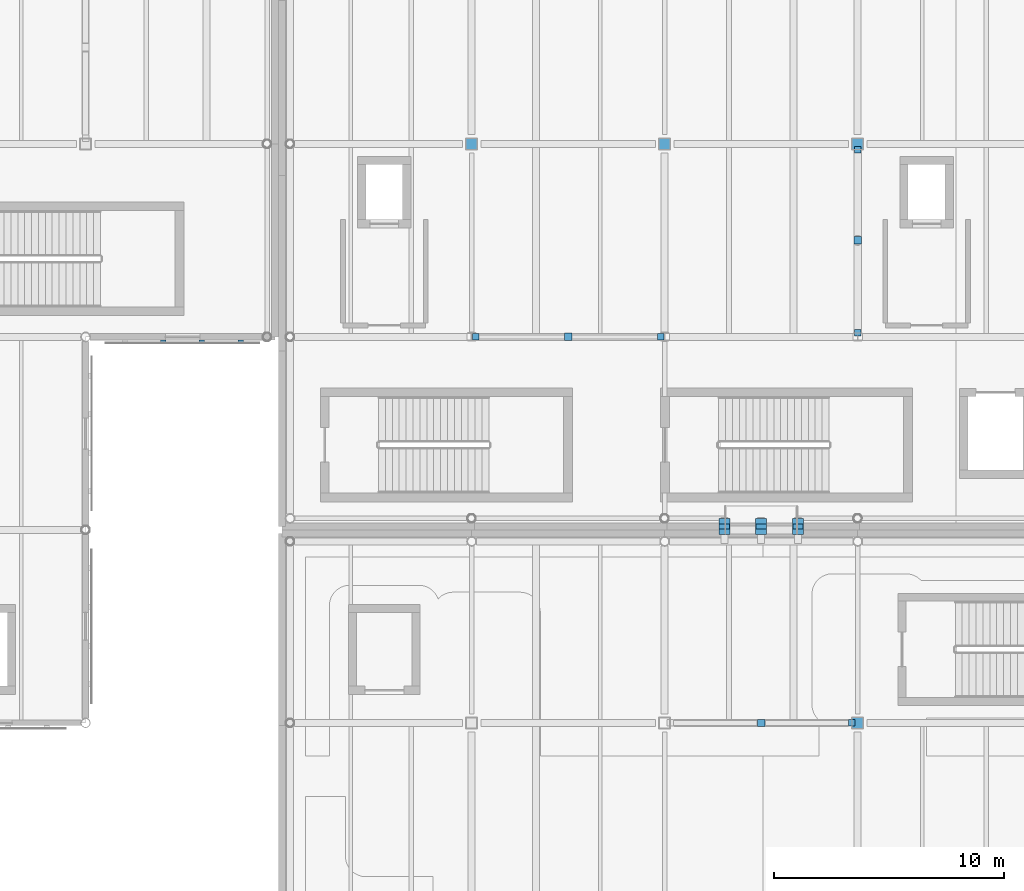
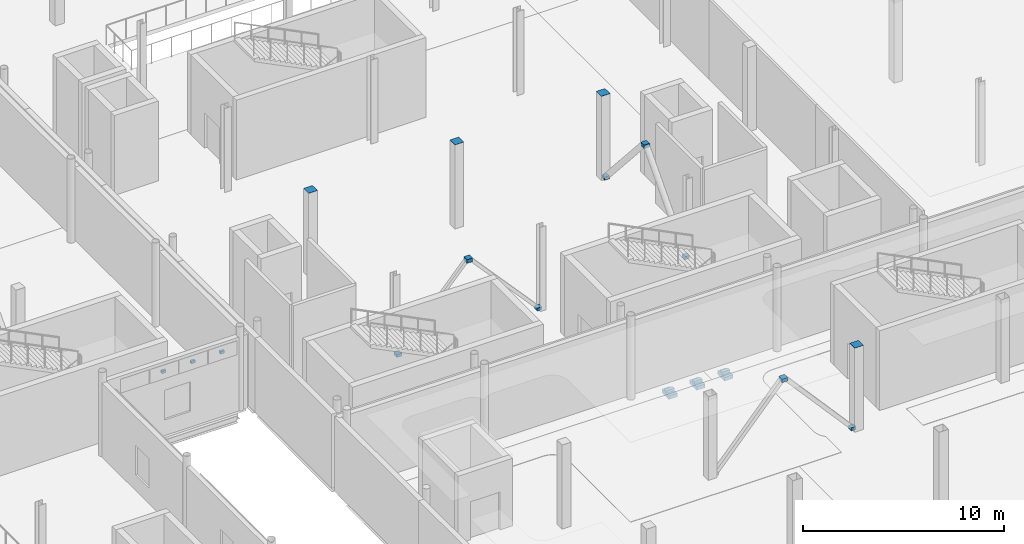
# One storey, part 80 of 104: 21 discrete accessories.
"""IFC4 building model written with IfcOpenShell, lengths in metres."""

from ifc_helpers import new_model, si_unit, direction, frame, origin, origin_2d, place, context, subcontext, project, spatial, rectangle, extrude, material, type_object, element, save


model = new_model("IFC4")

# Units and contexts
model_context = context("Model", 3, precision=1e-05, world=origin(), true_north=direction((0.0, 1.0)))
body_context = subcontext(model_context, "Body", "Model", "MODEL_VIEW")
ifc_project = project(units=[si_unit("LENGTHUNIT", "METRE"), si_unit("AREAUNIT", "SQUARE_METRE"), si_unit("VOLUMEUNIT", "CUBIC_METRE"), si_unit("PLANEANGLEUNIT", "RADIAN"), si_unit("MASSUNIT", "GRAM", prefix="KILO"), si_unit("THERMODYNAMICTEMPERATUREUNIT", "KELVIN")], contexts=[model_context])

# Site, building, storey
site_placement = place(None, origin())
site = spatial("IfcSite", under=ifc_project, at=site_placement, CompositionType="ELEMENT")
building_placement = place(site_placement, origin())
building = spatial("IfcBuilding", under=site, at=building_placement, Name="Lustrewick Department Store", CompositionType="ELEMENT")
storey_placement = place(building_placement, frame((0.0, 0.0, 11.39990234375)))
storey = spatial("IfcBuildingStorey", under=building, at=storey_placement, Name="L03", CompositionType="ELEMENT", Elevation=11.39990234375)

# Discrete accessories
ifc_material_1 = material(Name="Anodized filigree aluminium 6061-T6", Category="aluminium")
discrete_accessory_type_1 = type_object("IfcDiscreteAccessoryType", Name="BRK-FIL", PredefinedType="BRACKET", material=ifc_material_1)
for number, where, z_axis, x_axis, name in (
    (1, (104.18408203125, 58.60009765625, 3.9072265625), (0.0, 0.0, 1.0), (1.0, 0.0, 0.0), "L03 Filigree Stand-Off Bracket 0306"),
    (2, (105.864013671875, 58.60009765625, 3.9072265625), (0.0, 0.0, 1.0), (1.0, 0.0, 0.0), "L03 Filigree Stand-Off Bracket 0307"),
    (3, (107.5439453125, 58.60009765625, 3.9072265625), (0.0, 0.0, 1.0), (1.0, 0.0, 0.0), "L03 Filigree Stand-Off Bracket 0308"),
):
    element("IfcDiscreteAccessory", number, at=place(storey_placement, frame(where, z_axis=z_axis, x_axis=x_axis)), inside=storey, type_object=discrete_accessory_type_1, Name=name, PredefinedType="BRACKET", context=body_context, shape_type="SweptSolid", body=[
        extrude(rectangle(XDim=0.239990234375, YDim=0.139892578125, at=origin_2d()), origin(), (0.0, 0.0, 1.0), 0.159912109375),
    ])
ifc_material_2 = material(Name="Structural steel Q355C", Category="steel")
discrete_accessory_type_2 = type_object("IfcDiscreteAccessoryType", Name="GUS-NODE", PredefinedType="BRACKET", material=ifc_material_2)
discrete_accessory_1_placement = place(storey_placement, frame((134.14990234375, 42.0, 0.06005859375), z_axis=(0.0, 0.0, 1.0), x_axis=(1.0, 0.0, 0.0)))
element("IfcDiscreteAccessory", 4, at=discrete_accessory_1_placement, inside=storey, type_object=discrete_accessory_type_2, Name="L03 V3 Brace Base Gusset Plate", PredefinedType="BRACKET", context=body_context, shape_type="SweptSolid", body=[
    extrude(rectangle(XDim=0.280029296875, YDim=0.280029296875, at=origin_2d()), origin(), (0.0, 0.0, 1.0), 0.179931640625),
])
discrete_accessory_2_placement = place(storey_placement, frame((130.199951171875, 42.0, 4.38525390625), z_axis=(0.0, 0.0, 1.0), x_axis=(1.0, 0.0, 0.0)))
element("IfcDiscreteAccessory", 5, at=discrete_accessory_2_placement, inside=storey, type_object=discrete_accessory_type_2, Name="L03 V3 Chevron Brace Apex Gusset Plate", PredefinedType="BRACKET", context=body_context, shape_type="SweptSolid", body=[
    extrude(rectangle(XDim=0.320068359375, YDim=0.320068359375, at=origin_2d()), origin(), (0.0, 0.0, 1.0), 0.219970703125),
])
for number, where, z_axis, x_axis, name in (
    (6, (117.77490234375, 58.800048828125, 0.06005859375), (0.0, 0.0, 1.0), (1.0, 0.0, 0.0), "L03 V4 Brace Base Gusset Plate"),
    (7, (125.824951171875, 58.800048828125, 0.06005859375), (0.0, 0.0, 1.0), (1.0, 0.0, 0.0), "L03 V4 Brace Base Gusset Plate"),
):
    element("IfcDiscreteAccessory", number, at=place(storey_placement, frame(where, z_axis=z_axis, x_axis=x_axis)), inside=storey, type_object=discrete_accessory_type_2, Name=name, PredefinedType="BRACKET", context=body_context, shape_type="SweptSolid", body=[
        extrude(rectangle(XDim=0.280029296875, YDim=0.280029296875, at=origin_2d()), origin(), (0.0, 0.0, 1.0), 0.179931640625),
    ])
discrete_accessory_3_placement = place(storey_placement, frame((121.800048828125, 58.800048828125, 4.38525390625), z_axis=(0.0, 0.0, 1.0), x_axis=(1.0, 0.0, 0.0)))
element("IfcDiscreteAccessory", 8, at=discrete_accessory_3_placement, inside=storey, type_object=discrete_accessory_type_2, Name="L03 V4 Chevron Brace Apex Gusset Plate", PredefinedType="BRACKET", context=body_context, shape_type="SweptSolid", body=[
    extrude(rectangle(XDim=0.320068359375, YDim=0.320068359375, at=origin_2d()), origin(), (0.0, 0.0, 1.0), 0.219970703125),
])
for number, where, z_axis, x_axis, name in (
    (9, (134.39990234375, 58.97509765625, 0.06005859375), (0.0, 0.0, 1.0), (1.0, 0.0, 0.0), "L03 V4 Brace Base Gusset Plate"),
    (10, (134.39990234375, 66.949951171875, 0.06005859375), (0.0, 0.0, 1.0), (1.0, 0.0, 0.0), "L03 V4 Brace Base Gusset Plate"),
):
    element("IfcDiscreteAccessory", number, at=place(storey_placement, frame(where, z_axis=z_axis, x_axis=x_axis)), inside=storey, type_object=discrete_accessory_type_2, Name=name, PredefinedType="BRACKET", context=body_context, shape_type="SweptSolid", body=[
        extrude(rectangle(XDim=0.280029296875, YDim=0.280029296875, at=origin_2d()), origin(), (0.0, 0.0, 1.0), 0.179931640625),
    ])
discrete_accessory_4_placement = place(storey_placement, frame((134.39990234375, 63.0, 4.38525390625), z_axis=(0.0, 0.0, 1.0), x_axis=(1.0, 0.0, 0.0)))
element("IfcDiscreteAccessory", 11, at=discrete_accessory_4_placement, inside=storey, type_object=discrete_accessory_type_2, Name="L03 V4 Chevron Brace Apex Gusset Plate", PredefinedType="BRACKET", context=body_context, shape_type="SweptSolid", body=[
    extrude(rectangle(XDim=0.320068359375, YDim=0.320068359375, at=origin_2d()), origin(), (0.0, 0.0, 1.0), 0.219970703125),
])
discrete_accessory_type_3 = type_object("IfcDiscreteAccessoryType", Name="SB-CORBEL", PredefinedType="BRACKET", material=ifc_material_2)
for number, where, z_axis, x_axis, name in (
    (12, (128.60009765625, 50.550048828125, -1.11279296875), (0.0, 0.0, 1.0), (1.0, 0.0, 0.0), "L03 Skybridge SB34 700 mm Bearing Seat Corbel 1"),
    (13, (130.199951171875, 50.550048828125, -1.11279296875), (0.0, 0.0, 1.0), (1.0, 0.0, 0.0), "L03 Skybridge SB34 700 mm Bearing Seat Corbel 2"),
    (14, (131.800048828125, 50.550048828125, -1.11279296875), (0.0, 0.0, 1.0), (1.0, 0.0, 0.0), "L03 Skybridge SB34 700 mm Bearing Seat Corbel 3"),
):
    element("IfcDiscreteAccessory", number, at=place(storey_placement, frame(where, z_axis=z_axis, x_axis=x_axis)), inside=storey, type_object=discrete_accessory_type_3, Name=name, PredefinedType="BRACKET", context=body_context, shape_type="SweptSolid", body=[
        extrude(rectangle(XDim=0.47998046875, YDim=0.699951171875, at=origin_2d()), origin(), (0.0, 0.0, 1.0), 0.219970703125),
    ])
discrete_accessory_type_4 = type_object("IfcDiscreteAccessoryType", Name="SB-PTFE", PredefinedType="BRACKET", material=ifc_material_2)
for number, where, z_axis, x_axis, name in (
    (15, (128.60009765625, 50.550048828125, -0.89306640625), (0.0, 0.0, 1.0), (1.0, 0.0, 0.0), "L03 Skybridge SB34 PTFE Sliding Bearing 1"),
    (16, (130.199951171875, 50.550048828125, -0.89306640625), (0.0, 0.0, 1.0), (1.0, 0.0, 0.0), "L03 Skybridge SB34 PTFE Sliding Bearing 2"),
    (17, (131.800048828125, 50.550048828125, -0.89306640625), (0.0, 0.0, 1.0), (1.0, 0.0, 0.0), "L03 Skybridge SB34 PTFE Sliding Bearing 3"),
):
    element("IfcDiscreteAccessory", number, at=place(storey_placement, frame(where, z_axis=z_axis, x_axis=x_axis)), inside=storey, type_object=discrete_accessory_type_4, Name=name, PredefinedType="BRACKET", context=body_context, shape_type="SweptSolid", body=[
        extrude(rectangle(XDim=0.449951171875, YDim=0.199951171875, at=origin_2d()), origin(), (0.0, 0.0, 1.0), 0.159912109375),
    ])
discrete_accessory_type_5 = type_object("IfcDiscreteAccessoryType", Name="ECP-01", PredefinedType="USERDEFINED", material=ifc_material_2)
for number, where, z_axis, x_axis, name in (
    (18, (117.60009765625, 67.199951171875, 5.093994140625), (0.0, 0.0, 1.0), (1.0, 0.0, 0.0), "L03 Welded Hollow-Section End-Cap Plate ECP-01"),
    (19, (134.39990234375, 67.199951171875, 5.093994140625), (0.0, 0.0, 1.0), (1.0, 0.0, 0.0), "L03 Welded Hollow-Section End-Cap Plate ECP-01"),
    (20, (134.39990234375, 42.0, 5.093994140625), (0.0, 0.0, 1.0), (1.0, 0.0, 0.0), "L03 Welded Hollow-Section End-Cap Plate ECP-01"),
    (21, (126.0, 67.199951171875, 5.093994140625), (0.0, 0.0, 1.0), (1.0, 0.0, 0.0), "L03 Welded Hollow-Section End-Cap Plate ECP-01"),
):
    element("IfcDiscreteAccessory", number, at=place(storey_placement, frame(where, z_axis=z_axis, x_axis=x_axis)), inside=storey, type_object=discrete_accessory_type_5, Name=name, ObjectType="END_CAP_PLATE", PredefinedType="USERDEFINED", context=body_context, shape_type="SweptSolid", body=[
        extrude(rectangle(XDim=0.5, YDim=0.5, at=origin_2d()), origin(), (0.0, 0.0, 1.0), 0.01611328125),
    ])

save(model, "model.ifc")
